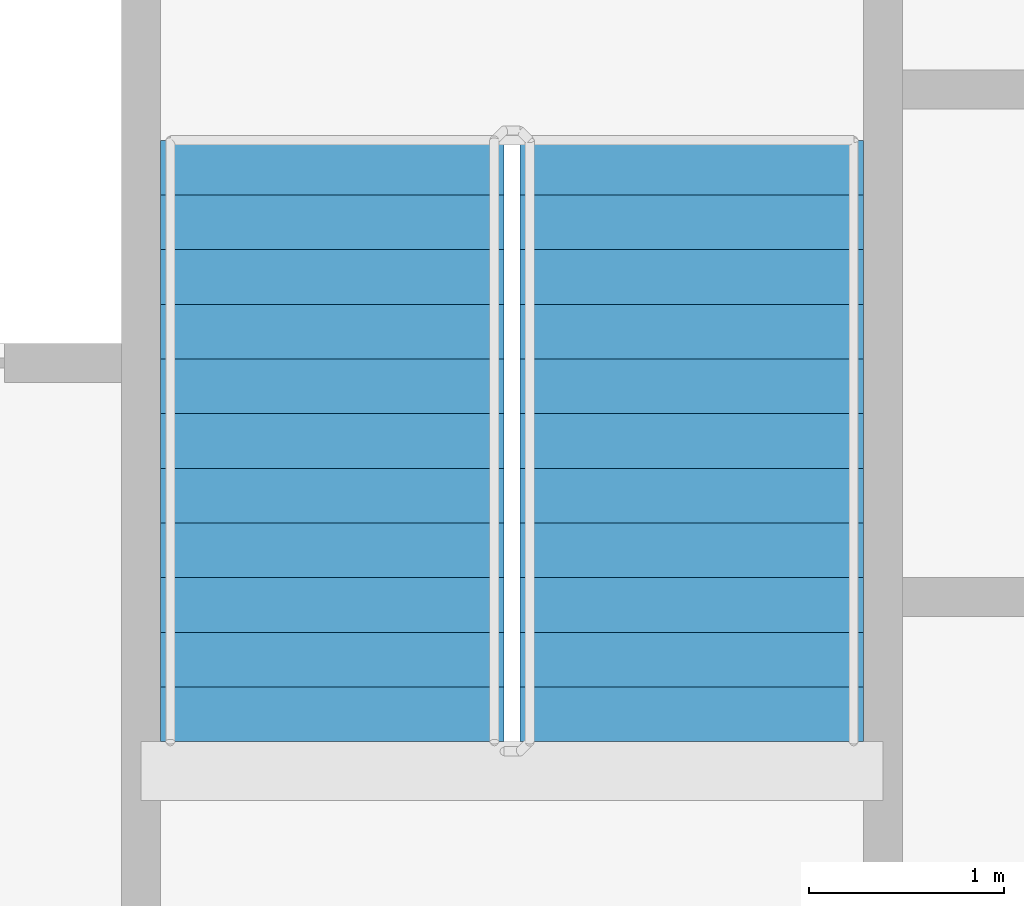
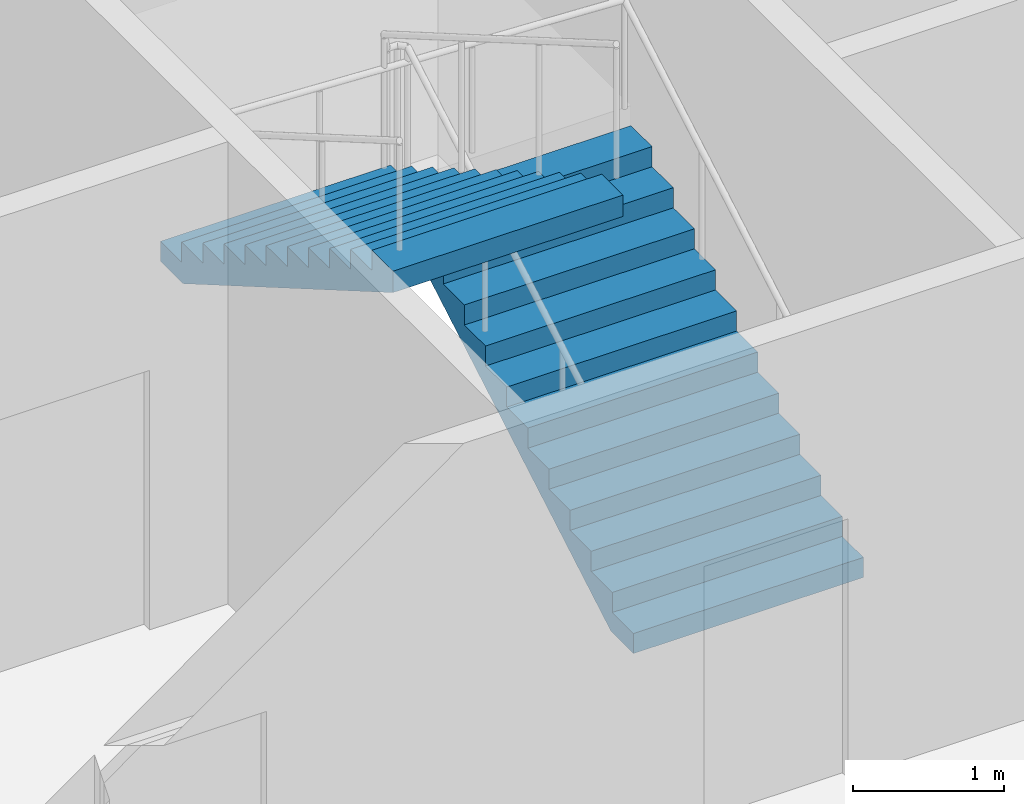
# One storey, part 18 of 23: 2 stair flights, 1 element without a shape of its own.
"""IFC4 building model written with IfcOpenShell, lengths in metres."""

from ifc_helpers import new_model, si_unit, direction, frame, origin, place, context, subcontext, project, spatial, faceted_brep, material, type_object, element, aggregate, save


model = new_model("IFC4")

# Units and contexts
model_context = context("Model", 3, precision=1e-05, world=origin(), true_north=direction((0.0, 1.0)))
body_context = subcontext(model_context, "Body", "Model", "MODEL_VIEW")
ifc_project = project(units=[si_unit("LENGTHUNIT", "METRE"), si_unit("AREAUNIT", "SQUARE_METRE"), si_unit("VOLUMEUNIT", "CUBIC_METRE"), si_unit("PLANEANGLEUNIT", "RADIAN"), si_unit("MASSUNIT", "GRAM", prefix="KILO")], contexts=[model_context])

# Site, building, storey
site_placement = place(None, origin())
site = spatial("IfcSite", under=ifc_project, at=site_placement, CompositionType="ELEMENT")
building_placement = place(site_placement, origin())
building = spatial("IfcBuilding", under=site, at=building_placement, Name="Tarsis Ring Headquarters", CompositionType="ELEMENT")
storey_placement = place(building_placement, frame((0.0, 0.0, 231.60009765625)))
storey = spatial("IfcBuildingStorey", under=building, at=storey_placement, Name="L54", CompositionType="ELEMENT", Elevation=231.60009765625)

# Stair, stair flights
ifc_material_1 = material(Name="Core stair 1760")
stair_type = type_object("IfcStairType", Name="Core stair 1760", PredefinedType="HALF_TURN_STAIR", material=ifc_material_1)
stair_placement = place(storey_placement, origin())
stair = element("IfcStair", 1, at=stair_placement, inside=storey, type_object=stair_type, Name="L54 Exit stair B", PredefinedType="HALF_TURN_STAIR")
ifc_material_2 = material(Name="Concrete C40/50", Category="concrete")
stair_flight_type = type_object("IfcStairFlightType", Name="Core stair flight 1760", PredefinedType="STRAIGHT", material=ifc_material_2)
stair_flight_1_placement = place(storey_placement, frame((5.419921875, 3.659912109375, 0.0), z_axis=(0.0, 0.0, 1.0), x_axis=(0.0, 1.0, 0.0)))
stair_flight_1 = element("IfcStairFlight", 2, at=stair_flight_1_placement, type_object=stair_flight_type, Name="Stair ST2 flight 1", NumberOfRisers=12, NumberOfTreads=11, PredefinedType="STRAIGHT", RiserHeight=0.1625, TreadLength=0.28, context=body_context, shape_type="Brep", body=[
    faceted_brep([(0.0, 0.8798828125, 0.0), (0.0, 0.8798828125, 0.16259765625), (0.280029296875, 0.8798828125, 0.16259765625), (0.280029296875, 0.8798828125, 0.324951171875), (0.56005859375, 0.8798828125, 0.324951171875), (0.56005859375, 0.8798828125, 0.487548828125), (0.840087890625, 0.8798828125, 0.487548828125), (0.840087890625, 0.8798828125, 0.64990234375), (1.1201171875, 0.8798828125, 0.64990234375), (1.1201171875, 0.8798828125, 0.8125), (1.39990234375, 0.8798828125, 0.8125), (1.39990234375, 0.8798828125, 0.97509765625), (1.679931640625, 0.8798828125, 0.97509765625), (1.679931640625, 0.8798828125, 1.137451171875), (1.9599609375, 0.8798828125, 1.137451171875), (1.9599609375, 0.8798828125, 1.300048828125), (2.239990234375, 0.8798828125, 1.300048828125), (2.239990234375, 0.8798828125, 1.46240234375), (2.52001953125, 0.8798828125, 1.46240234375), (2.52001953125, 0.8798828125, 1.625), (2.800048828125, 0.8798828125, 1.625), (2.800048828125, 0.8798828125, 1.78759765625), (3.080078125, 0.8798828125, 1.78759765625), (3.080078125, 0.8798828125, 1.6142578125), (0.298583984375, 0.8798828125, 0.0), (0.298583984375, -0.8798828125, 0.0), (3.080078125, -0.8798828125, 1.6142578125), (3.080078125, -0.8798828125, 1.78759765625), (2.800048828125, -0.8798828125, 1.78759765625), (2.800048828125, -0.8798828125, 1.625), (2.52001953125, -0.8798828125, 1.625), (2.52001953125, -0.8798828125, 1.46240234375), (2.239990234375, -0.8798828125, 1.46240234375), (2.239990234375, -0.8798828125, 1.300048828125), (1.9599609375, -0.8798828125, 1.300048828125), (1.9599609375, -0.8798828125, 1.137451171875), (1.679931640625, -0.8798828125, 1.137451171875), (1.679931640625, -0.8798828125, 0.97509765625), (1.39990234375, -0.8798828125, 0.97509765625), (1.39990234375, -0.8798828125, 0.8125), (1.1201171875, -0.8798828125, 0.8125), (1.1201171875, -0.8798828125, 0.64990234375), (0.840087890625, -0.8798828125, 0.64990234375), (0.840087890625, -0.8798828125, 0.487548828125), (0.56005859375, -0.8798828125, 0.487548828125), (0.56005859375, -0.8798828125, 0.324951171875), (0.280029296875, -0.8798828125, 0.324951171875), (0.280029296875, -0.8798828125, 0.16259765625), (0.0, -0.8798828125, 0.16259765625), (0.0, -0.8798828125, 0.0), (0.0, -0.43994140625, 0.16259765625), (0.0, -0.43994140625, 0.0), (0.0, 0.0, 0.16259765625), (0.0, 0.0, 0.0), (0.0, 0.43994140625, 0.16259765625), (0.0, 0.43994140625, 0.0), (0.280029296875, -0.43994140625, 0.16259765625), (0.280029296875, 0.0, 0.16259765625), (0.280029296875, 0.43994140625, 0.16259765625), (0.280029296875, -0.43994140625, 0.324951171875), (0.280029296875, 0.0, 0.324951171875), (0.280029296875, 0.43994140625, 0.324951171875), (0.56005859375, -0.43994140625, 0.324951171875), (0.56005859375, 0.0, 0.324951171875), (0.56005859375, 0.43994140625, 0.324951171875), (0.56005859375, -0.43994140625, 0.487548828125), (0.56005859375, 0.0, 0.487548828125), (0.56005859375, 0.43994140625, 0.487548828125), (0.840087890625, -0.43994140625, 0.487548828125), (0.840087890625, 0.0, 0.487548828125), (0.840087890625, 0.43994140625, 0.487548828125), (0.840087890625, -0.43994140625, 0.64990234375), (0.840087890625, 0.0, 0.64990234375), (0.840087890625, 0.43994140625, 0.64990234375), (1.1201171875, -0.43994140625, 0.64990234375), (1.1201171875, 0.0, 0.64990234375), (1.1201171875, 0.43994140625, 0.64990234375), (1.1201171875, -0.43994140625, 0.8125), (1.1201171875, 0.0, 0.8125), (1.1201171875, 0.43994140625, 0.8125), (1.39990234375, -0.43994140625, 0.8125), (1.39990234375, 0.0, 0.8125), (1.39990234375, 0.43994140625, 0.8125), (1.39990234375, -0.43994140625, 0.97509765625), (1.39990234375, 0.0, 0.97509765625), (1.39990234375, 0.43994140625, 0.97509765625), (1.679931640625, -0.43994140625, 0.97509765625), (1.679931640625, 0.0, 0.97509765625), (1.679931640625, 0.43994140625, 0.97509765625), (1.679931640625, -0.43994140625, 1.137451171875), (1.679931640625, 0.0, 1.137451171875), (1.679931640625, 0.43994140625, 1.137451171875), (1.9599609375, -0.43994140625, 1.137451171875), (1.9599609375, 0.0, 1.137451171875), (1.9599609375, 0.43994140625, 1.137451171875), (1.9599609375, -0.43994140625, 1.300048828125), (1.9599609375, 0.0, 1.300048828125), (1.9599609375, 0.43994140625, 1.300048828125), (2.239990234375, -0.43994140625, 1.300048828125), (2.239990234375, 0.0, 1.300048828125), (2.239990234375, 0.43994140625, 1.300048828125), (2.239990234375, -0.43994140625, 1.46240234375), (2.239990234375, 0.0, 1.46240234375), (2.239990234375, 0.43994140625, 1.46240234375), (2.52001953125, -0.43994140625, 1.46240234375), (2.52001953125, 0.0, 1.46240234375), (2.52001953125, 0.43994140625, 1.46240234375), (2.52001953125, -0.43994140625, 1.625), (2.52001953125, 0.0, 1.625), (2.52001953125, 0.43994140625, 1.625), (2.800048828125, -0.43994140625, 1.625), (2.800048828125, 0.0, 1.625), (2.800048828125, 0.43994140625, 1.625), (2.800048828125, -0.43994140625, 1.78759765625), (2.800048828125, 0.0, 1.78759765625), (2.800048828125, 0.43994140625, 1.78759765625), (3.080078125, -0.43994140625, 1.78759765625), (3.080078125, 0.0, 1.78759765625), (3.080078125, 0.43994140625, 1.78759765625), (3.080078125, -0.43994140625, 1.6142578125), (3.080078125, 0.0, 1.6142578125), (3.080078125, 0.43994140625, 1.6142578125), (0.298583984375, -0.43994140625, 0.0), (0.298583984375, 0.0, 0.0), (0.298583984375, 0.43994140625, 0.0)], [[[0, 1, 2, 3, 4, 5, 6, 7, 8, 9, 10, 11, 12, 13, 14, 15, 16, 17, 18, 19, 20, 21, 22, 23, 24]], [[25, 26, 27, 28, 29, 30, 31, 32, 33, 34, 35, 36, 37, 38, 39, 40, 41, 42, 43, 44, 45, 46, 47, 48, 49]], [[49, 48, 50, 51]], [[51, 50, 52, 53]], [[53, 52, 54, 55]], [[55, 54, 1, 0]], [[48, 47, 56, 50]], [[50, 56, 57, 52]], [[52, 57, 58, 54]], [[54, 58, 2, 1]], [[47, 46, 59, 56]], [[56, 59, 60, 57]], [[57, 60, 61, 58]], [[58, 61, 3, 2]], [[46, 45, 62, 59]], [[59, 62, 63, 60]], [[60, 63, 64, 61]], [[61, 64, 4, 3]], [[45, 44, 65, 62]], [[62, 65, 66, 63]], [[63, 66, 67, 64]], [[64, 67, 5, 4]], [[44, 43, 68, 65]], [[65, 68, 69, 66]], [[66, 69, 70, 67]], [[67, 70, 6, 5]], [[43, 42, 71, 68]], [[68, 71, 72, 69]], [[69, 72, 73, 70]], [[70, 73, 7, 6]], [[42, 41, 74, 71]], [[71, 74, 75, 72]], [[72, 75, 76, 73]], [[73, 76, 8, 7]], [[41, 40, 77, 74]], [[74, 77, 78, 75]], [[75, 78, 79, 76]], [[76, 79, 9, 8]], [[40, 39, 80, 77]], [[77, 80, 81, 78]], [[78, 81, 82, 79]], [[79, 82, 10, 9]], [[39, 38, 83, 80]], [[80, 83, 84, 81]], [[81, 84, 85, 82]], [[82, 85, 11, 10]], [[38, 37, 86, 83]], [[83, 86, 87, 84]], [[84, 87, 88, 85]], [[85, 88, 12, 11]], [[37, 36, 89, 86]], [[86, 89, 90, 87]], [[87, 90, 91, 88]], [[88, 91, 13, 12]], [[36, 35, 92, 89]], [[89, 92, 93, 90]], [[90, 93, 94, 91]], [[91, 94, 14, 13]], [[35, 34, 95, 92]], [[92, 95, 96, 93]], [[93, 96, 97, 94]], [[94, 97, 15, 14]], [[34, 33, 98, 95]], [[95, 98, 99, 96]], [[96, 99, 100, 97]], [[97, 100, 16, 15]], [[33, 32, 101, 98]], [[98, 101, 102, 99]], [[99, 102, 103, 100]], [[100, 103, 17, 16]], [[32, 31, 104, 101]], [[101, 104, 105, 102]], [[102, 105, 106, 103]], [[103, 106, 18, 17]], [[31, 30, 107, 104]], [[104, 107, 108, 105]], [[105, 108, 109, 106]], [[106, 109, 19, 18]], [[30, 29, 110, 107]], [[107, 110, 111, 108]], [[108, 111, 112, 109]], [[109, 112, 20, 19]], [[29, 28, 113, 110]], [[110, 113, 114, 111]], [[111, 114, 115, 112]], [[112, 115, 21, 20]], [[28, 27, 116, 113]], [[113, 116, 117, 114]], [[114, 117, 118, 115]], [[115, 118, 22, 21]], [[27, 26, 119, 116]], [[116, 119, 120, 117]], [[117, 120, 121, 118]], [[118, 121, 23, 22]], [[26, 25, 122, 119]], [[119, 122, 123, 120]], [[120, 123, 124, 121]], [[121, 124, 24, 23]], [[25, 49, 51, 122]], [[122, 51, 53, 123]], [[123, 53, 55, 124]], [[124, 55, 0, 24]]]),
])
stair_flight_2_placement = place(storey_placement, frame((3.580078125, 6.739990234375, 1.949951171875), z_axis=(0.0, 0.0, 1.0), x_axis=(0.0, -1.0, 0.0)))
stair_flight_2 = element("IfcStairFlight", 3, at=stair_flight_2_placement, type_object=stair_flight_type, Name="Stair ST2 flight 2", NumberOfRisers=12, NumberOfTreads=11, PredefinedType="STRAIGHT", RiserHeight=0.1625, TreadLength=0.28, context=body_context, shape_type="Brep", body=[
    faceted_brep([(0.0, 0.8798828125, 0.0), (0.0, 0.8798828125, 0.16259765625), (0.280029296875, 0.8798828125, 0.16259765625), (0.280029296875, 0.8798828125, 0.324951171875), (0.56005859375, 0.8798828125, 0.324951171875), (0.56005859375, 0.8798828125, 0.487548828125), (0.840087890625, 0.8798828125, 0.487548828125), (0.840087890625, 0.8798828125, 0.64990234375), (1.1201171875, 0.8798828125, 0.64990234375), (1.1201171875, 0.8798828125, 0.8125), (1.39990234375, 0.8798828125, 0.8125), (1.39990234375, 0.8798828125, 0.97509765625), (1.679931640625, 0.8798828125, 0.97509765625), (1.679931640625, 0.8798828125, 1.137451171875), (1.9599609375, 0.8798828125, 1.137451171875), (1.9599609375, 0.8798828125, 1.300048828125), (2.239990234375, 0.8798828125, 1.300048828125), (2.239990234375, 0.8798828125, 1.46240234375), (2.52001953125, 0.8798828125, 1.46240234375), (2.52001953125, 0.8798828125, 1.625), (2.800048828125, 0.8798828125, 1.625), (2.800048828125, 0.8798828125, 1.78759765625), (3.080078125, 0.8798828125, 1.78759765625), (3.080078125, 0.8798828125, 1.6142578125), (0.298583984375, 0.8798828125, 0.0), (0.298583984375, -0.8798828125, 0.0), (3.080078125, -0.8798828125, 1.6142578125), (3.080078125, -0.8798828125, 1.78759765625), (2.800048828125, -0.8798828125, 1.78759765625), (2.800048828125, -0.8798828125, 1.625), (2.52001953125, -0.8798828125, 1.625), (2.52001953125, -0.8798828125, 1.46240234375), (2.239990234375, -0.8798828125, 1.46240234375), (2.239990234375, -0.8798828125, 1.300048828125), (1.9599609375, -0.8798828125, 1.300048828125), (1.9599609375, -0.8798828125, 1.137451171875), (1.679931640625, -0.8798828125, 1.137451171875), (1.679931640625, -0.8798828125, 0.97509765625), (1.39990234375, -0.8798828125, 0.97509765625), (1.39990234375, -0.8798828125, 0.8125), (1.1201171875, -0.8798828125, 0.8125), (1.1201171875, -0.8798828125, 0.64990234375), (0.840087890625, -0.8798828125, 0.64990234375), (0.840087890625, -0.8798828125, 0.487548828125), (0.56005859375, -0.8798828125, 0.487548828125), (0.56005859375, -0.8798828125, 0.324951171875), (0.280029296875, -0.8798828125, 0.324951171875), (0.280029296875, -0.8798828125, 0.16259765625), (0.0, -0.8798828125, 0.16259765625), (0.0, -0.8798828125, 0.0), (0.0, -0.43994140625, 0.16259765625), (0.0, -0.43994140625, 0.0), (0.0, 0.0, 0.16259765625), (0.0, 0.0, 0.0), (0.0, 0.43994140625, 0.16259765625), (0.0, 0.43994140625, 0.0), (0.280029296875, -0.43994140625, 0.16259765625), (0.280029296875, 0.0, 0.16259765625), (0.280029296875, 0.43994140625, 0.16259765625), (0.280029296875, -0.43994140625, 0.324951171875), (0.280029296875, 0.0, 0.324951171875), (0.280029296875, 0.43994140625, 0.324951171875), (0.56005859375, -0.43994140625, 0.324951171875), (0.56005859375, 0.0, 0.324951171875), (0.56005859375, 0.43994140625, 0.324951171875), (0.56005859375, -0.43994140625, 0.487548828125), (0.56005859375, 0.0, 0.487548828125), (0.56005859375, 0.43994140625, 0.487548828125), (0.840087890625, -0.43994140625, 0.487548828125), (0.840087890625, 0.0, 0.487548828125), (0.840087890625, 0.43994140625, 0.487548828125), (0.840087890625, -0.43994140625, 0.64990234375), (0.840087890625, 0.0, 0.64990234375), (0.840087890625, 0.43994140625, 0.64990234375), (1.1201171875, -0.43994140625, 0.64990234375), (1.1201171875, 0.0, 0.64990234375), (1.1201171875, 0.43994140625, 0.64990234375), (1.1201171875, -0.43994140625, 0.8125), (1.1201171875, 0.0, 0.8125), (1.1201171875, 0.43994140625, 0.8125), (1.39990234375, -0.43994140625, 0.8125), (1.39990234375, 0.0, 0.8125), (1.39990234375, 0.43994140625, 0.8125), (1.39990234375, -0.43994140625, 0.97509765625), (1.39990234375, 0.0, 0.97509765625), (1.39990234375, 0.43994140625, 0.97509765625), (1.679931640625, -0.43994140625, 0.97509765625), (1.679931640625, 0.0, 0.97509765625), (1.679931640625, 0.43994140625, 0.97509765625), (1.679931640625, -0.43994140625, 1.137451171875), (1.679931640625, 0.0, 1.137451171875), (1.679931640625, 0.43994140625, 1.137451171875), (1.9599609375, -0.43994140625, 1.137451171875), (1.9599609375, 0.0, 1.137451171875), (1.9599609375, 0.43994140625, 1.137451171875), (1.9599609375, -0.43994140625, 1.300048828125), (1.9599609375, 0.0, 1.300048828125), (1.9599609375, 0.43994140625, 1.300048828125), (2.239990234375, -0.43994140625, 1.300048828125), (2.239990234375, 0.0, 1.300048828125), (2.239990234375, 0.43994140625, 1.300048828125), (2.239990234375, -0.43994140625, 1.46240234375), (2.239990234375, 0.0, 1.46240234375), (2.239990234375, 0.43994140625, 1.46240234375), (2.52001953125, -0.43994140625, 1.46240234375), (2.52001953125, 0.0, 1.46240234375), (2.52001953125, 0.43994140625, 1.46240234375), (2.52001953125, -0.43994140625, 1.625), (2.52001953125, 0.0, 1.625), (2.52001953125, 0.43994140625, 1.625), (2.800048828125, -0.43994140625, 1.625), (2.800048828125, 0.0, 1.625), (2.800048828125, 0.43994140625, 1.625), (2.800048828125, -0.43994140625, 1.78759765625), (2.800048828125, 0.0, 1.78759765625), (2.800048828125, 0.43994140625, 1.78759765625), (3.080078125, -0.43994140625, 1.78759765625), (3.080078125, 0.0, 1.78759765625), (3.080078125, 0.43994140625, 1.78759765625), (3.080078125, -0.43994140625, 1.6142578125), (3.080078125, 0.0, 1.6142578125), (3.080078125, 0.43994140625, 1.6142578125), (0.298583984375, -0.43994140625, 0.0), (0.298583984375, 0.0, 0.0), (0.298583984375, 0.43994140625, 0.0)], [[[0, 1, 2, 3, 4, 5, 6, 7, 8, 9, 10, 11, 12, 13, 14, 15, 16, 17, 18, 19, 20, 21, 22, 23, 24]], [[25, 26, 27, 28, 29, 30, 31, 32, 33, 34, 35, 36, 37, 38, 39, 40, 41, 42, 43, 44, 45, 46, 47, 48, 49]], [[49, 48, 50, 51]], [[51, 50, 52, 53]], [[53, 52, 54, 55]], [[55, 54, 1, 0]], [[48, 47, 56, 50]], [[50, 56, 57, 52]], [[52, 57, 58, 54]], [[54, 58, 2, 1]], [[47, 46, 59, 56]], [[56, 59, 60, 57]], [[57, 60, 61, 58]], [[58, 61, 3, 2]], [[46, 45, 62, 59]], [[59, 62, 63, 60]], [[60, 63, 64, 61]], [[61, 64, 4, 3]], [[45, 44, 65, 62]], [[62, 65, 66, 63]], [[63, 66, 67, 64]], [[64, 67, 5, 4]], [[44, 43, 68, 65]], [[65, 68, 69, 66]], [[66, 69, 70, 67]], [[67, 70, 6, 5]], [[43, 42, 71, 68]], [[68, 71, 72, 69]], [[69, 72, 73, 70]], [[70, 73, 7, 6]], [[42, 41, 74, 71]], [[71, 74, 75, 72]], [[72, 75, 76, 73]], [[73, 76, 8, 7]], [[41, 40, 77, 74]], [[74, 77, 78, 75]], [[75, 78, 79, 76]], [[76, 79, 9, 8]], [[40, 39, 80, 77]], [[77, 80, 81, 78]], [[78, 81, 82, 79]], [[79, 82, 10, 9]], [[39, 38, 83, 80]], [[80, 83, 84, 81]], [[81, 84, 85, 82]], [[82, 85, 11, 10]], [[38, 37, 86, 83]], [[83, 86, 87, 84]], [[84, 87, 88, 85]], [[85, 88, 12, 11]], [[37, 36, 89, 86]], [[86, 89, 90, 87]], [[87, 90, 91, 88]], [[88, 91, 13, 12]], [[36, 35, 92, 89]], [[89, 92, 93, 90]], [[90, 93, 94, 91]], [[91, 94, 14, 13]], [[35, 34, 95, 92]], [[92, 95, 96, 93]], [[93, 96, 97, 94]], [[94, 97, 15, 14]], [[34, 33, 98, 95]], [[95, 98, 99, 96]], [[96, 99, 100, 97]], [[97, 100, 16, 15]], [[33, 32, 101, 98]], [[98, 101, 102, 99]], [[99, 102, 103, 100]], [[100, 103, 17, 16]], [[32, 31, 104, 101]], [[101, 104, 105, 102]], [[102, 105, 106, 103]], [[103, 106, 18, 17]], [[31, 30, 107, 104]], [[104, 107, 108, 105]], [[105, 108, 109, 106]], [[106, 109, 19, 18]], [[30, 29, 110, 107]], [[107, 110, 111, 108]], [[108, 111, 112, 109]], [[109, 112, 20, 19]], [[29, 28, 113, 110]], [[110, 113, 114, 111]], [[111, 114, 115, 112]], [[112, 115, 21, 20]], [[28, 27, 116, 113]], [[113, 116, 117, 114]], [[114, 117, 118, 115]], [[115, 118, 22, 21]], [[27, 26, 119, 116]], [[116, 119, 120, 117]], [[117, 120, 121, 118]], [[118, 121, 23, 22]], [[26, 25, 122, 119]], [[119, 122, 123, 120]], [[120, 123, 124, 121]], [[121, 124, 24, 23]], [[25, 49, 51, 122]], [[122, 51, 53, 123]], [[123, 53, 55, 124]], [[124, 55, 0, 24]]]),
])
aggregate(stair, [stair_flight_1, stair_flight_2])

save(model, "model.ifc")
